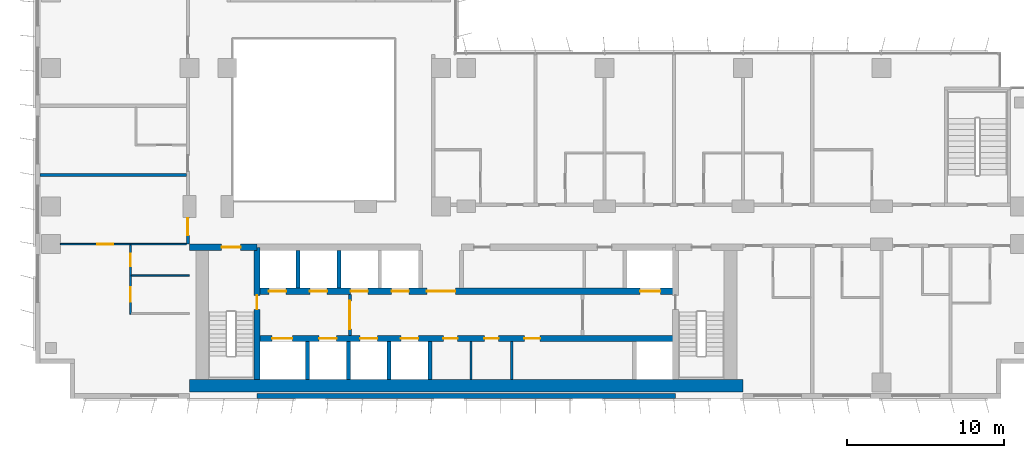
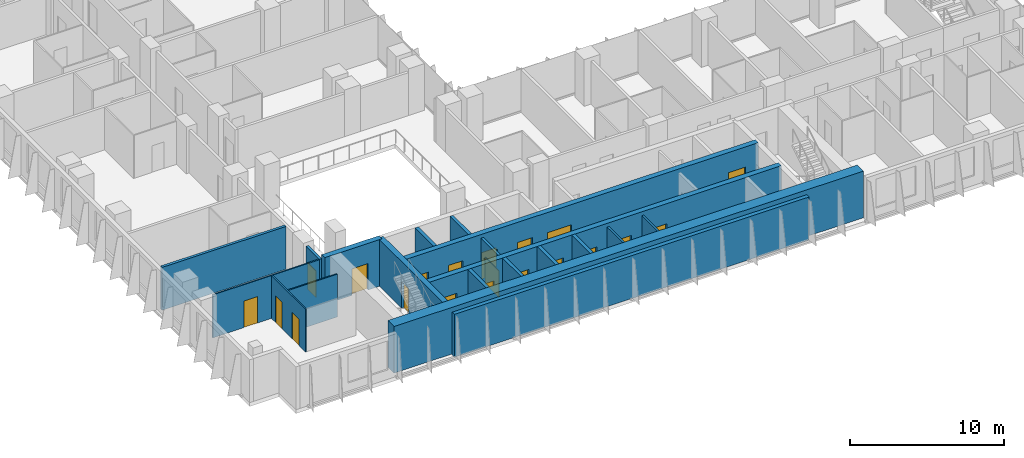
# One storey, part 12 of 23: 20 doors, 20 walls, 20 openings.
"""IFC4 building model written with IfcOpenShell, lengths in metres."""

from ifc_helpers import new_model, si_unit, direction, frame, frame_2d, origin, place, context, subcontext, project, spatial, rectangle, extrude, material, layer, layer_set, type_object, element, fill, save


model = new_model("IFC4")

# Units and contexts
model_context = context("Model", 3, precision=1e-05, world=origin(), true_north=direction((0.0, 1.0)))
body_context = subcontext(model_context, "Body", "Model", "MODEL_VIEW")
ifc_project = project(units=[si_unit("LENGTHUNIT", "METRE"), si_unit("AREAUNIT", "SQUARE_METRE"), si_unit("VOLUMEUNIT", "CUBIC_METRE"), si_unit("PLANEANGLEUNIT", "RADIAN"), si_unit("MASSUNIT", "GRAM", prefix="KILO")], contexts=[model_context])

# Site, building, storey
site_placement = place(None, origin())
site = spatial("IfcSite", under=ifc_project, at=site_placement, CompositionType="ELEMENT")
building_placement = place(site_placement, origin())
building = spatial("IfcBuilding", under=site, at=building_placement, Name="Kemantara Hotel Tower", CompositionType="ELEMENT")
storey_placement = place(building_placement, frame((0.0, 0.0, 118.5)))
storey = spatial("IfcBuildingStorey", under=building, at=storey_placement, Name="L28", CompositionType="ELEMENT", Elevation=118.5)

# Walls
ifc_material_1 = material(Name="Bronze anodised aluminium cladding on insulated steel stud wall", Category="steel")
ifc_layer_1 = layer(ifc_material_1, 0.300048828125)
ifc_layer_set_1 = layer_set([ifc_layer_1], Name="Bronze anodised aluminium cladding on insulated steel stud wall")
wall_type_1 = type_object("IfcWallType", Name="BRONZE METAL-CLAD EXTERNAL WALL 300", PredefinedType="STANDARD", material=ifc_layer_set_1)
wall_1_placement = place(storey_placement, frame((14.10009765625, 0.14990234375, 0.0), z_axis=(0.0, 0.0, 1.0), x_axis=(1.0, 0.0, 0.0)))
element("IfcWall", 1, at=wall_1_placement, inside=storey, type_object=wall_type_1, Name="EXTERNAL WALL L28 T2-R07-2", PredefinedType="STANDARD", context=body_context, shape_type="SweptSolid", body=[
    extrude(rectangle(XDim=26.599853515625, YDim=0.300048828125, at=frame_2d((13.2998046875, 0.0))), origin(), (0.0, 0.0, 1.0), 3.39990234375),
])
ifc_material_2 = material(Name="Concrete fc 70 MPa", Category="concrete")
ifc_layer_2 = layer(ifc_material_2, 0.25)
ifc_layer_set_2 = layer_set([ifc_layer_2], Name="Concrete fc 70 MPa")
wall_type_2 = type_object("IfcWallType", Name="CORE WALL 250 FC70", PredefinedType="SHEAR", material=ifc_layer_set_2)
for number, where, z_axis, x_axis, name in (
    (2, (17.300048828125, 1.199951171875, 0.0), (0.0, 0.0, 1.0), (0.0, 1.0, 0.0), "CORE WALL CW-DS17.3"),
    (3, (19.89990234375, 1.199951171875, 0.0), (0.0, 0.0, 1.0), (0.0, 1.0, 0.0), "CORE WALL CW-DS19.9"),
    (4, (22.5, 1.199951171875, 0.0), (0.0, 0.0, 1.0), (0.0, 1.0, 0.0), "CORE WALL CW-DS22.5"),
    (5, (25.10009765625, 1.199951171875, 0.0), (0.0, 0.0, 1.0), (0.0, 1.0, 0.0), "CORE WALL CW-DS25.1"),
):
    element("IfcWall", number, at=place(storey_placement, frame(where, z_axis=z_axis, x_axis=x_axis)), inside=storey, type_object=wall_type_2, Name=name, PredefinedType="SHEAR", context=body_context, shape_type="SweptSolid", body=[
        extrude(rectangle(XDim=2.400146484375, YDim=0.25, at=frame_2d((1.2001953125, 0.0))), origin(), (0.0, 0.0, 1.0), 3.699951171875),
    ])
for number, where, z_axis, x_axis, name in (
    (6, (16.699951171875, 7.0, 0.0), (0.0, 0.0, 1.0), (0.0, 1.0, 0.0), "CORE WALL CW-DN16.7"),
    (7, (19.300048828125, 7.0, 0.0), (0.0, 0.0, 1.0), (0.0, 1.0, 0.0), "CORE WALL CW-DN19.3"),
):
    element("IfcWall", number, at=place(storey_placement, frame(where, z_axis=z_axis, x_axis=x_axis)), inside=storey, type_object=wall_type_2, Name=name, PredefinedType="SHEAR", context=body_context, shape_type="SweptSolid", body=[
        extrude(rectangle(XDim=2.39990234375, YDim=0.25, at=frame_2d((1.199951171875, 0.0))), origin(), (0.0, 0.0, 1.0), 3.699951171875),
    ])

# Wall, opening, door
ifc_layer_3 = layer(ifc_material_2, 0.39990234375)
ifc_layer_set_3 = layer_set([ifc_layer_3], Name="Concrete fc 70 MPa")
wall_type_3 = type_object("IfcWallType", Name="CORE WALL 400 FC70", PredefinedType="SHEAR", material=ifc_layer_set_3)
wall_2_placement = place(storey_placement, frame((9.800048828125, 9.60009765625, 0.0), z_axis=(0.0, 0.0, 1.0), x_axis=(1.0, 0.0, 0.0)))
wall_2 = element("IfcWall", 8, at=wall_2_placement, inside=storey, type_object=wall_type_3, Name="CORE WALL CW-N1", PredefinedType="SHEAR", context=body_context, shape_type="SweptSolid", body=[
    extrude(rectangle(XDim=4.300048828125, YDim=0.39990234375, at=frame_2d((2.14990234375, 0.0))), origin(), (0.0, 0.0, 1.0), 3.699951171875),
])
opening_1_placement = place(wall_2_placement, frame((2.050048828125, 0.0, 0.0)))
opening_1 = element("IfcOpeningElement", 9, at=opening_1_placement, cuts=wall_2, Name="Opening C19-ST1-C", PredefinedType="OPENING", context=body_context, shape_type="SweptSolid", body=[
    extrude(rectangle(XDim=1.199951171875, YDim=2.10009765625, at=frame_2d((0.60009765625, 1.050048828125))), frame((0.0, 0.2099609375, 0.0), z_axis=(0.0, -1.0, 0.0), x_axis=(1.0, 0.0, 0.0)), (0.0, 0.0, 1.0), 0.419921875),
])
ifc_material_3 = material(Name="Steel fire door", Category="steel")
door_type_1 = type_object("IfcDoorType", Name="Fire door FD90 1200 x 2100", OperationType="NOTDEFINED", PredefinedType="DOOR", material=ifc_material_3)
door_1_placement = place(opening_1_placement, frame((1.199951171875, 0.0, 0.0), z_axis=(0.0, 0.0, 1.0), x_axis=(-1.0, 0.0, 0.0)))
door_1 = element("IfcDoor", 10, at=door_1_placement, inside=storey, type_object=door_type_1, Name="Stair ST1 door to corridor", OperationType="SINGLE_SWING_LEFT", OverallHeight=2.10009765625, OverallWidth=1.199951171875, PredefinedType="DOOR", context=body_context, shape_type="SweptSolid", body=[
    extrude(rectangle(XDim=1.199951171875, YDim=2.10009765625, at=frame_2d((0.60009765625, 1.050048828125))), frame((0.0, 0.02490234375, 0.0), z_axis=(0.0, -1.0, 0.0), x_axis=(1.0, 0.0, 0.0)), (0.0, 0.0, 1.0), 0.050048828125),
])
fill(opening_1, door_1)

# Wall, openings, doors
wall_3_placement = place(storey_placement, frame((14.10009765625, 3.800048828125, 0.0), z_axis=(0.0, 0.0, 1.0), x_axis=(1.0, 0.0, 0.0)))
wall_3 = element("IfcWall", 11, at=wall_3_placement, inside=storey, type_object=wall_type_3, Name="CORE WALL CW-L1", PredefinedType="SHEAR", context=body_context, shape_type="SweptSolid", body=[
    extrude(rectangle(XDim=26.599853515625, YDim=0.39990234375, at=frame_2d((13.2998046875, 0.0))), origin(), (0.0, 0.0, 1.0), 3.699951171875),
])
opening_2_placement = place(wall_3_placement, frame((0.949951171875, 0.0, 0.0)))
opening_2 = element("IfcOpeningElement", 12, at=opening_2_placement, cuts=wall_3, Name="Opening C19-LD-FF1", PredefinedType="OPENING", context=body_context, shape_type="SweptSolid", body=[
    extrude(rectangle(XDim=1.300048828125, YDim=2.10009765625, at=frame_2d((0.64990234375, 1.050048828125))), frame((0.0, 0.2099609375, 0.0), z_axis=(0.0, -1.0, 0.0), x_axis=(1.0, 0.0, 0.0)), (0.0, 0.0, 1.0), 0.419921875),
])
opening_3_placement = place(wall_3_placement, frame((3.949951171875, 0.0, 0.0)))
opening_3 = element("IfcOpeningElement", 13, at=opening_3_placement, cuts=wall_3, Name="Opening C19-LD-SV1", PredefinedType="OPENING", context=body_context, shape_type="SweptSolid", body=[
    extrude(rectangle(XDim=1.10009765625, YDim=2.10009765625, at=frame_2d((0.550048828125, 1.050048828125))), frame((0.0, 0.2099609375, 0.0), z_axis=(0.0, -1.0, 0.0), x_axis=(1.0, 0.0, 0.0)), (0.0, 0.0, 1.0), 0.419921875),
])
opening_4_placement = place(wall_3_placement, frame((6.550048828125, 0.0, 0.0)))
opening_4 = element("IfcOpeningElement", 14, at=opening_4_placement, cuts=wall_3, Name="Opening C19-LD-SV2", PredefinedType="OPENING", context=body_context, shape_type="SweptSolid", body=[
    extrude(rectangle(XDim=1.10009765625, YDim=2.10009765625, at=frame_2d((0.550048828125, 1.050048828125))), frame((0.0, 0.2099609375, 0.0), z_axis=(0.0, -1.0, 0.0), x_axis=(1.0, 0.0, 0.0)), (0.0, 0.0, 1.0), 0.419921875),
])
opening_5_placement = place(wall_3_placement, frame((9.14990234375, 0.0, 0.0)))
opening_5 = element("IfcOpeningElement", 15, at=opening_5_placement, cuts=wall_3, Name="Opening C19-LD-SV3", PredefinedType="OPENING", context=body_context, shape_type="SweptSolid", body=[
    extrude(rectangle(XDim=1.10009765625, YDim=2.10009765625, at=frame_2d((0.550048828125, 1.050048828125))), frame((0.0, 0.2099609375, 0.0), z_axis=(0.0, -1.0, 0.0), x_axis=(1.0, 0.0, 0.0)), (0.0, 0.0, 1.0), 0.419921875),
])
opening_6_placement = place(wall_3_placement, frame((11.85009765625, 0.0, 0.0)))
opening_6 = element("IfcOpeningElement", 16, at=opening_6_placement, cuts=wall_3, Name="Opening C19-R-SM1", PredefinedType="OPENING", context=body_context, shape_type="SweptSolid", body=[
    extrude(rectangle(XDim=0.89990234375, YDim=2.10009765625, at=frame_2d((0.449951171875, 1.050048828125))), frame((0.0, 0.2099609375, 0.0), z_axis=(0.0, -1.0, 0.0), x_axis=(1.0, 0.0, 0.0)), (0.0, 0.0, 1.0), 0.419921875),
])
opening_7_placement = place(wall_3_placement, frame((14.449951171875, 0.0, 0.0)))
opening_7 = element("IfcOpeningElement", 17, at=opening_7_placement, cuts=wall_3, Name="Opening C19-R-SM2", PredefinedType="OPENING", context=body_context, shape_type="SweptSolid", body=[
    extrude(rectangle(XDim=0.89990234375, YDim=2.10009765625, at=frame_2d((0.449951171875, 1.050048828125))), frame((0.0, 0.2099609375, 0.0), z_axis=(0.0, -1.0, 0.0), x_axis=(1.0, 0.0, 0.0)), (0.0, 0.0, 1.0), 0.419921875),
])
opening_8_placement = place(wall_3_placement, frame((17.0, 0.0, 0.0)))
opening_8 = element("IfcOpeningElement", 18, at=opening_8_placement, cuts=wall_3, Name="Opening C19-R-SM3", PredefinedType="OPENING", context=body_context, shape_type="SweptSolid", body=[
    extrude(rectangle(XDim=1.0, YDim=2.10009765625, at=frame_2d((0.5, 1.050048828125))), frame((0.0, 0.2099609375, 0.0), z_axis=(0.0, -1.0, 0.0), x_axis=(1.0, 0.0, 0.0)), (0.0, 0.0, 1.0), 0.419921875),
])
door_type_2 = type_object("IfcDoorType", Name="Fire door FD30S 1000 x 2100", OperationType="NOTDEFINED", PredefinedType="DOOR", material=ifc_material_3)
door_2_placement = place(opening_8_placement, frame((1.0, 0.0, 0.0), z_axis=(0.0, 0.0, 1.0), x_axis=(-1.0, 0.0, 0.0)))
door_2 = element("IfcDoor", 19, at=door_2_placement, inside=storey, type_object=door_type_2, Name="Linen Store door", OperationType="SINGLE_SWING_LEFT", OverallHeight=2.10009765625, OverallWidth=1.0, PredefinedType="DOOR", context=body_context, shape_type="SweptSolid", body=[
    extrude(rectangle(XDim=1.0, YDim=2.10009765625, at=frame_2d((0.5, 1.050048828125))), frame((0.0, 0.02490234375, 0.0), z_axis=(0.0, -1.0, 0.0), x_axis=(1.0, 0.0, 0.0)), (0.0, 0.0, 1.0), 0.050048828125),
])
fill(opening_8, door_2)
door_type_3 = type_object("IfcDoorType", Name="Fire door FD30S 900 x 2100", OperationType="NOTDEFINED", PredefinedType="DOOR", material=ifc_material_3)
door_3_placement = place(opening_7_placement, frame((0.89990234375, 0.0, 0.0), z_axis=(0.0, 0.0, 1.0), x_axis=(-1.0, 0.0, 0.0)))
door_3 = element("IfcDoor", 20, at=door_3_placement, inside=storey, type_object=door_type_3, Name="Staff Wc door", OperationType="SINGLE_SWING_LEFT", OverallHeight=2.10009765625, OverallWidth=0.89990234375, PredefinedType="DOOR", context=body_context, shape_type="SweptSolid", body=[
    extrude(rectangle(XDim=0.89990234375, YDim=2.10009765625, at=frame_2d((0.449951171875, 1.050048828125))), frame((0.0, 0.02490234375, 0.0), z_axis=(0.0, -1.0, 0.0), x_axis=(1.0, 0.0, 0.0)), (0.0, 0.0, 1.0), 0.050048828125),
])
fill(opening_7, door_3)
door_type_4 = type_object("IfcDoorType", Name="Fire door FD60 900 x 2100", OperationType="NOTDEFINED", PredefinedType="DOOR", material=ifc_material_3)
door_4_placement = place(opening_6_placement, frame((0.89990234375, 0.0, 0.0), z_axis=(0.0, 0.0, 1.0), x_axis=(-1.0, 0.0, 0.0)))
door_4 = element("IfcDoor", 21, at=door_4_placement, inside=storey, type_object=door_type_4, Name="Electrical Riser Room door", OperationType="SINGLE_SWING_RIGHT", OverallHeight=2.10009765625, OverallWidth=0.89990234375, PredefinedType="DOOR", context=body_context, shape_type="SweptSolid", body=[
    extrude(rectangle(XDim=0.89990234375, YDim=2.10009765625, at=frame_2d((0.449951171875, 1.050048828125))), frame((0.0, 0.02490234375, 0.0), z_axis=(0.0, -1.0, 0.0), x_axis=(1.0, 0.0, 0.0)), (0.0, 0.0, 1.0), 0.050048828125),
])
fill(opening_6, door_4)
ifc_material_4 = material(Name="Stainless steel lift door", Category="steel")
door_type_5 = type_object("IfcDoorType", Name="Lift landing door 1100 x 2100 FD60", OperationType="DOUBLE_DOOR_SLIDING", PredefinedType="DOOR", material=ifc_material_4)
door_5_placement = place(opening_3_placement, origin())
door_5 = element("IfcDoor", 22, at=door_5_placement, inside=storey, type_object=door_type_5, Name="Lift SV1 landing door", OperationType="DOUBLE_DOOR_SLIDING", OverallHeight=2.10009765625, OverallWidth=1.10009765625, PredefinedType="DOOR", context=body_context, shape_type="SweptSolid", body=[
    extrude(rectangle(XDim=1.10009765625, YDim=2.10009765625, at=frame_2d((0.550048828125, 1.050048828125))), frame((0.0, 0.02490234375, 0.0), z_axis=(0.0, -1.0, 0.0), x_axis=(1.0, 0.0, 0.0)), (0.0, 0.0, 1.0), 0.050048828125),
])
fill(opening_3, door_5)
door_6_placement = place(opening_4_placement, origin())
door_6 = element("IfcDoor", 23, at=door_6_placement, inside=storey, type_object=door_type_5, Name="Lift SV2 landing door", OperationType="DOUBLE_DOOR_SLIDING", OverallHeight=2.10009765625, OverallWidth=1.10009765625, PredefinedType="DOOR", context=body_context, shape_type="SweptSolid", body=[
    extrude(rectangle(XDim=1.10009765625, YDim=2.10009765625, at=frame_2d((0.550048828125, 1.050048828125))), frame((0.0, 0.02490234375, 0.0), z_axis=(0.0, -1.0, 0.0), x_axis=(1.0, 0.0, 0.0)), (0.0, 0.0, 1.0), 0.050048828125),
])
fill(opening_4, door_6)
door_7_placement = place(opening_5_placement, origin())
door_7 = element("IfcDoor", 24, at=door_7_placement, inside=storey, type_object=door_type_5, Name="Lift SV3 landing door", OperationType="DOUBLE_DOOR_SLIDING", OverallHeight=2.10009765625, OverallWidth=1.10009765625, PredefinedType="DOOR", context=body_context, shape_type="SweptSolid", body=[
    extrude(rectangle(XDim=1.10009765625, YDim=2.10009765625, at=frame_2d((0.550048828125, 1.050048828125))), frame((0.0, 0.02490234375, 0.0), z_axis=(0.0, -1.0, 0.0), x_axis=(1.0, 0.0, 0.0)), (0.0, 0.0, 1.0), 0.050048828125),
])
fill(opening_5, door_7)
door_type_6 = type_object("IfcDoorType", Name="Lift landing door 1300 x 2100 FD90", OperationType="DOUBLE_DOOR_SLIDING", PredefinedType="DOOR", material=ifc_material_4)
door_8_placement = place(opening_2_placement, origin())
door_8 = element("IfcDoor", 25, at=door_8_placement, inside=storey, type_object=door_type_6, Name="Lift FF1 landing door", OperationType="DOUBLE_DOOR_SLIDING", OverallHeight=2.10009765625, OverallWidth=1.300048828125, PredefinedType="DOOR", context=body_context, shape_type="SweptSolid", body=[
    extrude(rectangle(XDim=1.300048828125, YDim=2.10009765625, at=frame_2d((0.64990234375, 1.050048828125))), frame((0.0, 0.02490234375, 0.0), z_axis=(0.0, -1.0, 0.0), x_axis=(1.0, 0.0, 0.0)), (0.0, 0.0, 1.0), 0.050048828125),
])
fill(opening_2, door_8)

wall_4_placement = place(storey_placement, frame((14.10009765625, 6.800048828125, 0.0), z_axis=(0.0, 0.0, 1.0), x_axis=(1.0, 0.0, 0.0)))
wall_4 = element("IfcWall", 26, at=wall_4_placement, inside=storey, type_object=wall_type_3, Name="CORE WALL CW-L2", PredefinedType="SHEAR", context=body_context, shape_type="SweptSolid", body=[
    extrude(rectangle(XDim=26.599853515625, YDim=0.39990234375, at=frame_2d((13.2998046875, 0.0))), origin(), (0.0, 0.0, 1.0), 3.699951171875),
])
opening_9_placement = place(wall_4_placement, frame((10.800048828125, 0.0, 0.0)))
opening_9 = element("IfcOpeningElement", 27, at=opening_9_placement, cuts=wall_4, Name="Opening C19-VL", PredefinedType="OPENING", context=body_context, shape_type="SweptSolid", body=[
    extrude(rectangle(XDim=1.800048828125, YDim=2.10009765625, at=frame_2d((0.89990234375, 1.050048828125))), frame((0.0, 0.2099609375, 0.0), z_axis=(0.0, -1.0, 0.0), x_axis=(1.0, 0.0, 0.0)), (0.0, 0.0, 1.0), 0.419921875),
])
opening_10_placement = place(wall_4_placement, frame((0.75, 0.0, 0.0)))
opening_10 = element("IfcOpeningElement", 28, at=opening_10_placement, cuts=wall_4, Name="Opening C19-LD-MR1", PredefinedType="OPENING", context=body_context, shape_type="SweptSolid", body=[
    extrude(rectangle(XDim=1.10009765625, YDim=2.10009765625, at=frame_2d((0.550048828125, 1.050048828125))), frame((0.0, 0.2099609375, 0.0), z_axis=(0.0, -1.0, 0.0), x_axis=(1.0, 0.0, 0.0)), (0.0, 0.0, 1.0), 0.419921875),
])
opening_11_placement = place(wall_4_placement, frame((3.35009765625, 0.0, 0.0)))
opening_11 = element("IfcOpeningElement", 29, at=opening_11_placement, cuts=wall_4, Name="Opening C19-LD-MR2", PredefinedType="OPENING", context=body_context, shape_type="SweptSolid", body=[
    extrude(rectangle(XDim=1.10009765625, YDim=2.10009765625, at=frame_2d((0.550048828125, 1.050048828125))), frame((0.0, 0.2099609375, 0.0), z_axis=(0.0, -1.0, 0.0), x_axis=(1.0, 0.0, 0.0)), (0.0, 0.0, 1.0), 0.419921875),
])
opening_12_placement = place(wall_4_placement, frame((5.949951171875, 0.0, 0.0)))
opening_12 = element("IfcOpeningElement", 30, at=opening_12_placement, cuts=wall_4, Name="Opening C19-LD-MR3", PredefinedType="OPENING", context=body_context, shape_type="SweptSolid", body=[
    extrude(rectangle(XDim=1.10009765625, YDim=2.10009765625, at=frame_2d((0.550048828125, 1.050048828125))), frame((0.0, 0.2099609375, 0.0), z_axis=(0.0, -1.0, 0.0), x_axis=(1.0, 0.0, 0.0)), (0.0, 0.0, 1.0), 0.419921875),
])
opening_13_placement = place(wall_4_placement, frame((8.550048828125, 0.0, 0.0)))
opening_13 = element("IfcOpeningElement", 31, at=opening_13_placement, cuts=wall_4, Name="Opening C19-LD-MR4", PredefinedType="OPENING", context=body_context, shape_type="SweptSolid", body=[
    extrude(rectangle(XDim=1.10009765625, YDim=2.10009765625, at=frame_2d((0.550048828125, 1.050048828125))), frame((0.0, 0.2099609375, 0.0), z_axis=(0.0, -1.0, 0.0), x_axis=(1.0, 0.0, 0.0)), (0.0, 0.0, 1.0), 0.419921875),
])
opening_14_placement = place(wall_4_placement, frame((24.35009765625, 0.0, 0.0)))
opening_14 = element("IfcOpeningElement", 32, at=opening_14_placement, cuts=wall_4, Name="Opening C19-LD-FF2", PredefinedType="OPENING", context=body_context, shape_type="SweptSolid", body=[
    extrude(rectangle(XDim=1.300048828125, YDim=2.10009765625, at=frame_2d((0.64990234375, 1.050048828125))), frame((0.0, 0.2099609375, 0.0), z_axis=(0.0, -1.0, 0.0), x_axis=(1.0, 0.0, 0.0)), (0.0, 0.0, 1.0), 0.419921875),
])
door_type_7 = type_object("IfcDoorType", Name="Fire door pair FD60 1800 x 2100", OperationType="DOUBLE_DOOR_SINGLE_SWING", PredefinedType="DOOR", material=ifc_material_3)
door_9_placement = place(opening_9_placement, frame((1.800048828125, 0.0, 0.0), z_axis=(0.0, 0.0, 1.0), x_axis=(-1.0, 0.0, 0.0)))
door_9 = element("IfcDoor", 33, at=door_9_placement, inside=storey, type_object=door_type_7, Name="Lift lobby entry door", OperationType="DOUBLE_DOOR_SINGLE_SWING", OverallHeight=2.10009765625, OverallWidth=1.800048828125, PredefinedType="DOOR", context=body_context, shape_type="SweptSolid", body=[
    extrude(rectangle(XDim=1.800048828125, YDim=2.10009765625, at=frame_2d((0.89990234375, 1.050048828125))), frame((0.0, 0.02490234375, 0.0), z_axis=(0.0, -1.0, 0.0), x_axis=(1.0, 0.0, 0.0)), (0.0, 0.0, 1.0), 0.050048828125),
])
fill(opening_9, door_9)
door_10_placement = place(opening_10_placement, origin())
door_10 = element("IfcDoor", 34, at=door_10_placement, inside=storey, type_object=door_type_5, Name="Lift MR1 landing door", OperationType="DOUBLE_DOOR_SLIDING", OverallHeight=2.10009765625, OverallWidth=1.10009765625, PredefinedType="DOOR", context=body_context, shape_type="SweptSolid", body=[
    extrude(rectangle(XDim=1.10009765625, YDim=2.10009765625, at=frame_2d((0.550048828125, 1.050048828125))), frame((0.0, 0.02490234375, 0.0), z_axis=(0.0, -1.0, 0.0), x_axis=(1.0, 0.0, 0.0)), (0.0, 0.0, 1.0), 0.050048828125),
])
fill(opening_10, door_10)
door_11_placement = place(opening_11_placement, origin())
door_11 = element("IfcDoor", 35, at=door_11_placement, inside=storey, type_object=door_type_5, Name="Lift MR2 landing door", OperationType="DOUBLE_DOOR_SLIDING", OverallHeight=2.10009765625, OverallWidth=1.10009765625, PredefinedType="DOOR", context=body_context, shape_type="SweptSolid", body=[
    extrude(rectangle(XDim=1.10009765625, YDim=2.10009765625, at=frame_2d((0.550048828125, 1.050048828125))), frame((0.0, 0.02490234375, 0.0), z_axis=(0.0, -1.0, 0.0), x_axis=(1.0, 0.0, 0.0)), (0.0, 0.0, 1.0), 0.050048828125),
])
fill(opening_11, door_11)
door_12_placement = place(opening_12_placement, origin())
door_12 = element("IfcDoor", 36, at=door_12_placement, inside=storey, type_object=door_type_5, Name="Lift MR3 landing door", OperationType="DOUBLE_DOOR_SLIDING", OverallHeight=2.10009765625, OverallWidth=1.10009765625, PredefinedType="DOOR", context=body_context, shape_type="SweptSolid", body=[
    extrude(rectangle(XDim=1.10009765625, YDim=2.10009765625, at=frame_2d((0.550048828125, 1.050048828125))), frame((0.0, 0.02490234375, 0.0), z_axis=(0.0, -1.0, 0.0), x_axis=(1.0, 0.0, 0.0)), (0.0, 0.0, 1.0), 0.050048828125),
])
fill(opening_12, door_12)
door_13_placement = place(opening_13_placement, origin())
door_13 = element("IfcDoor", 37, at=door_13_placement, inside=storey, type_object=door_type_5, Name="Lift MR4 landing door", OperationType="DOUBLE_DOOR_SLIDING", OverallHeight=2.10009765625, OverallWidth=1.10009765625, PredefinedType="DOOR", context=body_context, shape_type="SweptSolid", body=[
    extrude(rectangle(XDim=1.10009765625, YDim=2.10009765625, at=frame_2d((0.550048828125, 1.050048828125))), frame((0.0, 0.02490234375, 0.0), z_axis=(0.0, -1.0, 0.0), x_axis=(1.0, 0.0, 0.0)), (0.0, 0.0, 1.0), 0.050048828125),
])
fill(opening_13, door_13)
door_14_placement = place(opening_14_placement, origin())
door_14 = element("IfcDoor", 38, at=door_14_placement, inside=storey, type_object=door_type_6, Name="Lift FF2 landing door", OperationType="DOUBLE_DOOR_SLIDING", OverallHeight=2.10009765625, OverallWidth=1.300048828125, PredefinedType="DOOR", context=body_context, shape_type="SweptSolid", body=[
    extrude(rectangle(XDim=1.300048828125, YDim=2.10009765625, at=frame_2d((0.64990234375, 1.050048828125))), frame((0.0, 0.02490234375, 0.0), z_axis=(0.0, -1.0, 0.0), x_axis=(1.0, 0.0, 0.0)), (0.0, 0.0, 1.0), 0.050048828125),
])
fill(opening_14, door_14)

# Wall, opening, door
wall_5_placement = place(storey_placement, frame((14.10009765625, 1.199951171875, 0.0), z_axis=(0.0, 0.0, 1.0), x_axis=(0.0, 1.0, 0.0)))
wall_5 = element("IfcWall", 39, at=wall_5_placement, inside=storey, type_object=wall_type_3, Name="CORE WALL CW-ST1E", PredefinedType="SHEAR", context=body_context, shape_type="SweptSolid", body=[
    extrude(rectangle(XDim=8.400146484375, YDim=0.39990234375, at=frame_2d((4.2001953125, 0.0))), origin(), (0.0, 0.0, 1.0), 3.699951171875),
])
opening_15_placement = place(wall_5_placement, frame((4.449951171875, 0.0, 0.0)))
opening_15 = element("IfcOpeningElement", 40, at=opening_15_placement, cuts=wall_5, Name="Opening C19-ST1-F", PredefinedType="OPENING", context=body_context, shape_type="SweptSolid", body=[
    extrude(rectangle(XDim=0.89990234375, YDim=2.10009765625, at=frame_2d((0.449951171875, 1.050048828125))), frame((0.0, 0.2099609375, 0.0), z_axis=(0.0, -1.0, 0.0), x_axis=(1.0, 0.0, 0.0)), (0.0, 0.0, 1.0), 0.419921875),
])
door_type_8 = type_object("IfcDoorType", Name="Fire door FD90 900 x 2100", OperationType="NOTDEFINED", PredefinedType="DOOR", material=ifc_material_3)
door_15_placement = place(opening_15_placement, origin())
door_15 = element("IfcDoor", 41, at=door_15_placement, inside=storey, type_object=door_type_8, Name="Stair ST1 door to firefighting lobby", OperationType="SINGLE_SWING_RIGHT", OverallHeight=2.10009765625, OverallWidth=0.89990234375, PredefinedType="DOOR", context=body_context, shape_type="SweptSolid", body=[
    extrude(rectangle(XDim=0.89990234375, YDim=2.10009765625, at=frame_2d((0.449951171875, 1.050048828125))), frame((0.0, 0.02490234375, 0.0), z_axis=(0.0, -1.0, 0.0), x_axis=(1.0, 0.0, 0.0)), (0.0, 0.0, 1.0), 0.050048828125),
])
fill(opening_15, door_15)

# Wall
ifc_layer_4 = layer(ifc_material_2, 0.800048828125)
ifc_layer_set_4 = layer_set([ifc_layer_4], Name="Concrete fc 70 MPa")
wall_type_4 = type_object("IfcWallType", Name="CORE WALL 800 FC70", PredefinedType="SHEAR", material=ifc_layer_set_4)
wall_6_placement = place(storey_placement, frame((9.800048828125, 0.800048828125, 0.0), z_axis=(0.0, 0.0, 1.0), x_axis=(1.0, 0.0, 0.0)))
element("IfcWall", 42, at=wall_6_placement, inside=storey, type_object=wall_type_4, Name="CORE WALL CW-S", PredefinedType="SHEAR", context=body_context, shape_type="SweptSolid", body=[
    extrude(rectangle(XDim=35.199951171875, YDim=0.800048828125, at=frame_2d((17.60009765625, 0.0))), origin(), (0.0, 0.0, 1.0), 3.699951171875),
])

# Wall, opening, door
ifc_material_5 = material(Name="Gypsum board partition, steel studs and mineral wool, 200 mm", Category="steel")
ifc_layer_5 = layer(ifc_material_5, 0.199951171875)
ifc_layer_set_5 = layer_set([ifc_layer_5], Name="Gypsum board partition, steel studs and mineral wool, 200 mm")
wall_type_5 = type_object("IfcWallType", Name="CORRIDOR WALL 200", PredefinedType="PARTITIONING", material=ifc_layer_set_5)
wall_7_placement = place(storey_placement, frame((9.699951171875, 9.800048828125, 0.0), z_axis=(0.0, 0.0, 1.0), x_axis=(0.0, 1.0, 0.0)))
wall_7 = element("IfcWall", 43, at=wall_7_placement, inside=storey, type_object=wall_type_5, Name="CORRIDOR WALL 200 018", PredefinedType="PARTITIONING", context=body_context, shape_type="SweptSolid", body=[
    extrude(rectangle(XDim=1.699951171875, YDim=0.199951171875, at=frame_2d((0.85009765625, 0.0))), origin(), (0.0, 0.0, 1.0), 3.39990234375),
])
opening_16_placement = place(wall_7_placement, frame((0.550048828125, 0.0, 0.0)))
opening_16 = element("IfcOpeningElement", 44, at=opening_16_placement, cuts=wall_7, Name="Opening F12-021", PredefinedType="OPENING", context=body_context, shape_type="SweptSolid", body=[
    extrude(rectangle(XDim=1.10009765625, YDim=2.10009765625, at=frame_2d((0.550048828125, 1.050048828125))), frame((0.0, 0.10986328125, 0.0), z_axis=(0.0, -1.0, 0.0), x_axis=(1.0, 0.0, 0.0)), (0.0, 0.0, 1.0), 0.219970703125),
])
ifc_material_6 = material(Name="Hardwood veneer door leaf with steel frame", Category="steel")
door_type_9 = type_object("IfcDoorType", Name="SUITE ENTRANCE DOOR 1100 X 2100 FD30S", OperationType="NOTDEFINED", PredefinedType="DOOR", material=ifc_material_6)
door_16_placement = place(opening_16_placement, origin())
door_16 = element("IfcDoor", 45, at=door_16_placement, inside=storey, type_object=door_type_9, Name="SUITE ENTRANCE DOOR F12-021", OperationType="SINGLE_SWING_RIGHT", OverallHeight=2.10009765625, OverallWidth=1.10009765625, PredefinedType="DOOR", context=body_context, shape_type="SweptSolid", body=[
    extrude(rectangle(XDim=1.10009765625, YDim=2.10009765625, at=frame_2d((0.550048828125, 1.050048828125))), frame((0.0, 0.02490234375, 0.0), z_axis=(0.0, -1.0, 0.0), x_axis=(1.0, 0.0, 0.0)), (0.0, 0.0, 1.0), 0.050048828125),
])
fill(opening_16, door_16)

# Walls
ifc_layer_6 = layer(ifc_material_5, 0.199951171875)
ifc_layer_set_6 = layer_set([ifc_layer_6], Name="Gypsum board partition, steel studs and mineral wool, 200 mm")
wall_type_6 = type_object("IfcWallType", Name="GUEST ROOM PARTY WALL 200", PredefinedType="PARTITIONING", material=ifc_layer_set_6)
wall_8_placement = place(storey_placement, frame((0.31005859375, 14.199951171875, 0.0), z_axis=(0.0, 0.0, 1.0), x_axis=(1.0, 0.0, 0.0)))
element("IfcWall", 46, at=wall_8_placement, inside=storey, type_object=wall_type_6, Name="GUEST ROOM PARTY WALL 200 027", PredefinedType="PARTITIONING", context=body_context, shape_type="SweptSolid", body=[
    extrude(rectangle(XDim=9.2900390625, YDim=0.199951171875, at=frame_2d((4.64501953125, 0.0))), origin(), (0.0, 0.0, 1.0), 3.39990234375),
])
ifc_material_7 = material(Name="Gypsum board partition")
ifc_layer_7 = layer(ifc_material_7, 0.14990234375)
ifc_layer_set_7 = layer_set([ifc_layer_7], Name="Gypsum board partition")
wall_type_7 = type_object("IfcWallType", Name="Gypsum board partition 150 mm", PredefinedType="PARTITIONING", material=ifc_layer_set_7)
for number, where, z_axis, x_axis, name in (
    (47, (27.699951171875, 1.199951171875, 0.0), (0.0, 0.0, 1.0), (0.0, 1.0, 0.0), "Core room partition"),
    (48, (30.300048828125, 1.199951171875, 0.0), (0.0, 0.0, 1.0), (0.0, 1.0, 0.0), "Core room partition"),
):
    element("IfcWall", number, at=place(storey_placement, frame(where, z_axis=z_axis, x_axis=x_axis)), inside=storey, type_object=wall_type_7, Name=name, PredefinedType="PARTITIONING", context=body_context, shape_type="SweptSolid", body=[
        extrude(rectangle(XDim=2.400146484375, YDim=0.14990234375, at=frame_2d((1.2001953125, 0.0))), origin(), (0.0, 0.0, 1.0), 3.39990234375),
    ])

# Wall, opening, door
ifc_material_8 = material(Name="Gypsum board shaft wall")
ifc_layer_8 = layer(ifc_material_8, 0.199951171875)
ifc_layer_set_8 = layer_set([ifc_layer_8], Name="Gypsum board shaft wall")
wall_type_8 = type_object("IfcWallType", Name="Gypsum board shaft wall 200 mm", PredefinedType="PARTITIONING", material=ifc_layer_set_8)
wall_9_placement = place(storey_placement, frame((20.0, 4.0, 0.0), z_axis=(0.0, 0.0, 1.0), x_axis=(0.0, 1.0, 0.0)))
wall_9 = element("IfcWall", 49, at=wall_9_placement, inside=storey, type_object=wall_type_8, Name="Firefighting lobby partition west", PredefinedType="PARTITIONING", context=body_context, shape_type="SweptSolid", body=[
    extrude(rectangle(XDim=2.60009765625, YDim=0.199951171875, at=frame_2d((1.300048828125, 0.0))), origin(), (0.0, 0.0, 1.0), 3.39990234375),
])
opening_17_placement = place(wall_9_placement, frame((0.39990234375, 0.0, 0.0)))
opening_17 = element("IfcOpeningElement", 50, at=opening_17_placement, cuts=wall_9, Name="Opening C19-FFW", PredefinedType="OPENING", context=body_context, shape_type="SweptSolid", body=[
    extrude(rectangle(XDim=1.800048828125, YDim=2.10009765625, at=frame_2d((0.89990234375, 1.050048828125))), frame((0.0, 0.10986328125, 0.0), z_axis=(0.0, -1.0, 0.0), x_axis=(1.0, 0.0, 0.0)), (0.0, 0.0, 1.0), 0.219970703125),
])
door_17_placement = place(opening_17_placement, origin())
door_17 = element("IfcDoor", 51, at=door_17_placement, inside=storey, type_object=door_type_7, Name="Firefighting lobby door west", OperationType="DOUBLE_DOOR_SINGLE_SWING", OverallHeight=2.10009765625, OverallWidth=1.800048828125, PredefinedType="DOOR", context=body_context, shape_type="SweptSolid", body=[
    extrude(rectangle(XDim=1.800048828125, YDim=2.10009765625, at=frame_2d((0.89990234375, 1.050048828125))), frame((0.0, 0.02490234375, 0.0), z_axis=(0.0, -1.0, 0.0), x_axis=(1.0, 0.0, 0.0)), (0.0, 0.0, 1.0), 0.050048828125),
])
fill(opening_17, door_17)

# Wall, openings, doors
ifc_material_9 = material(Name="Gypsum board partition on steel studs, 100 mm", Category="steel")
ifc_layer_9 = layer(ifc_material_9, 0.10009765625)
ifc_layer_set_9 = layer_set([ifc_layer_9], Name="Gypsum board partition on steel studs, 100 mm")
wall_type_9 = type_object("IfcWallType", Name="ROOM PARTITION 100", PredefinedType="PARTITIONING", material=ifc_layer_set_9)
wall_10_placement = place(storey_placement, frame((6.050048828125, 9.75, 0.0), z_axis=(0.0, 0.0, 1.0), x_axis=(0.0, -1.0, 0.0)))
wall_10 = element("IfcWall", 52, at=wall_10_placement, inside=storey, type_object=wall_type_9, Name="ROOM PARTITION 100 077", PredefinedType="PARTITIONING", context=body_context, shape_type="SweptSolid", body=[
    extrude(rectangle(XDim=4.39990234375, YDim=0.10009765625, at=frame_2d((2.199951171875, 0.0))), origin(), (0.0, 0.0, 1.0), 3.39990234375),
])
opening_18_placement = place(wall_10_placement, frame((2.699951171875, 0.0, 0.0)))
opening_18 = element("IfcOpeningElement", 53, at=opening_18_placement, cuts=wall_10, Name="Opening F12-023", PredefinedType="OPENING", context=body_context, shape_type="SweptSolid", body=[
    extrude(rectangle(XDim=0.89990234375, YDim=2.10009765625, at=frame_2d((0.449951171875, 1.050048828125))), frame((0.0, 0.06005859375, 0.0), z_axis=(0.0, -1.0, 0.0), x_axis=(1.0, 0.0, 0.0)), (0.0, 0.0, 1.0), 0.1201171875),
])
opening_19_placement = place(wall_10_placement, frame((0.550048828125, 0.0, 0.0)))
opening_19 = element("IfcOpeningElement", 54, at=opening_19_placement, cuts=wall_10, Name="Opening F12-024", PredefinedType="OPENING", context=body_context, shape_type="SweptSolid", body=[
    extrude(rectangle(XDim=0.800048828125, YDim=2.10009765625, at=frame_2d((0.39990234375, 1.050048828125))), frame((0.0, 0.06005859375, 0.0), z_axis=(0.0, -1.0, 0.0), x_axis=(1.0, 0.0, 0.0)), (0.0, 0.0, 1.0), 0.1201171875),
])
door_type_10 = type_object("IfcDoorType", Name="BATHROOM DOOR 900 X 2100", OperationType="NOTDEFINED", PredefinedType="DOOR", material=ifc_material_6)
door_18_placement = place(opening_18_placement, origin())
door_18 = element("IfcDoor", 55, at=door_18_placement, inside=storey, type_object=door_type_10, Name="BATHROOM DOOR F12-023", OperationType="SINGLE_SWING_LEFT", OverallHeight=2.10009765625, OverallWidth=0.89990234375, PredefinedType="DOOR", context=body_context, shape_type="SweptSolid", body=[
    extrude(rectangle(XDim=0.89990234375, YDim=2.10009765625, at=frame_2d((0.449951171875, 1.050048828125))), frame((0.0, 0.02490234375, 0.0), z_axis=(0.0, -1.0, 0.0), x_axis=(1.0, 0.0, 0.0)), (0.0, 0.0, 1.0), 0.050048828125),
])
fill(opening_18, door_18)
door_type_11 = type_object("IfcDoorType", Name="WARDROBE DOOR 800 X 2100", OperationType="NOTDEFINED", PredefinedType="DOOR", material=ifc_material_6)
door_19_placement = place(opening_19_placement, origin())
door_19 = element("IfcDoor", 56, at=door_19_placement, inside=storey, type_object=door_type_11, Name="WARDROBE DOOR F12-024", OperationType="SINGLE_SWING_LEFT", OverallHeight=2.10009765625, OverallWidth=0.800048828125, PredefinedType="DOOR", context=body_context, shape_type="SweptSolid", body=[
    extrude(rectangle(XDim=0.800048828125, YDim=2.10009765625, at=frame_2d((0.39990234375, 1.050048828125))), frame((0.0, 0.02490234375, 0.0), z_axis=(0.0, -1.0, 0.0), x_axis=(1.0, 0.0, 0.0)), (0.0, 0.0, 1.0), 0.050048828125),
])
fill(opening_19, door_19)

# Wall, opening, door
wall_11_placement = place(storey_placement, frame((9.60009765625, 9.800048828125, 0.0), z_axis=(0.0, 0.0, 1.0), x_axis=(-1.0, 0.0, 0.0)))
wall_11 = element("IfcWall", 57, at=wall_11_placement, inside=storey, type_object=wall_type_9, Name="ROOM PARTITION 100 079", PredefinedType="PARTITIONING", context=body_context, shape_type="SweptSolid", body=[
    extrude(rectangle(XDim=8.0, YDim=0.10009765625, at=frame_2d((4.0, 0.0))), origin(), (0.0, 0.0, 1.0), 3.39990234375),
])
opening_20_placement = place(wall_11_placement, frame((4.64990234375, 0.0, 0.0)))
opening_20 = element("IfcOpeningElement", 58, at=opening_20_placement, cuts=wall_11, Name="Opening F12-022", PredefinedType="OPENING", context=body_context, shape_type="SweptSolid", body=[
    extrude(rectangle(XDim=1.0, YDim=2.10009765625, at=frame_2d((0.5, 1.050048828125))), frame((0.0, 0.06005859375, 0.0), z_axis=(0.0, -1.0, 0.0), x_axis=(1.0, 0.0, 0.0)), (0.0, 0.0, 1.0), 0.1201171875),
])
door_type_12 = type_object("IfcDoorType", Name="INTERNAL DOOR 1000 X 2100", OperationType="NOTDEFINED", PredefinedType="DOOR", material=ifc_material_6)
door_20_placement = place(opening_20_placement, origin())
door_20 = element("IfcDoor", 59, at=door_20_placement, inside=storey, type_object=door_type_12, Name="INTERNAL DOOR F12-022", OperationType="SINGLE_SWING_LEFT", OverallHeight=2.10009765625, OverallWidth=1.0, PredefinedType="DOOR", context=body_context, shape_type="SweptSolid", body=[
    extrude(rectangle(XDim=1.0, YDim=2.10009765625, at=frame_2d((0.5, 1.050048828125))), frame((0.0, 0.02490234375, 0.0), z_axis=(0.0, -1.0, 0.0), x_axis=(1.0, 0.0, 0.0)), (0.0, 0.0, 1.0), 0.050048828125),
])
fill(opening_20, door_20)

# Wall
wall_12_placement = place(storey_placement, frame((6.10009765625, 7.800048828125, 0.0), z_axis=(0.0, 0.0, 1.0), x_axis=(1.0, 0.0, 0.0)))
element("IfcWall", 60, at=wall_12_placement, inside=storey, type_object=wall_type_9, Name="ROOM PARTITION 100 081", PredefinedType="PARTITIONING", context=body_context, shape_type="SweptSolid", body=[
    extrude(rectangle(XDim=3.69970703125, YDim=0.10009765625, at=frame_2d((1.849853515625, 0.0))), origin(), (0.0, 0.0, 1.0), 3.39990234375),
])

save(model, "model.ifc")
